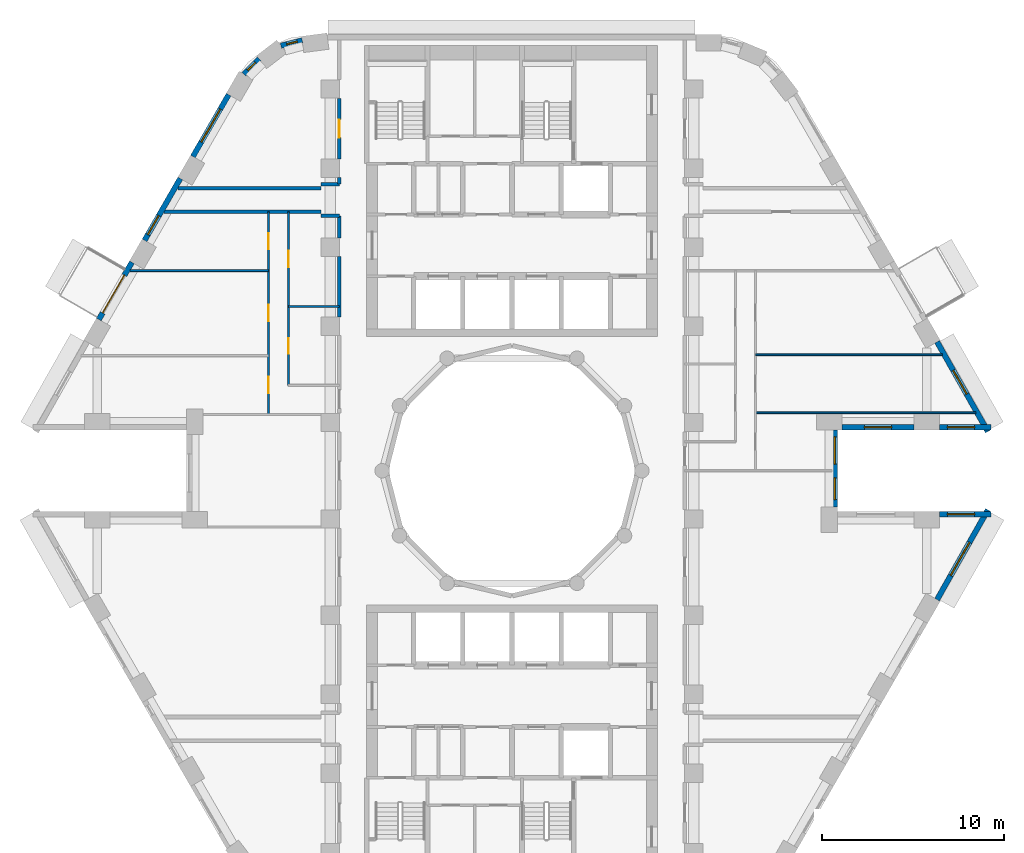
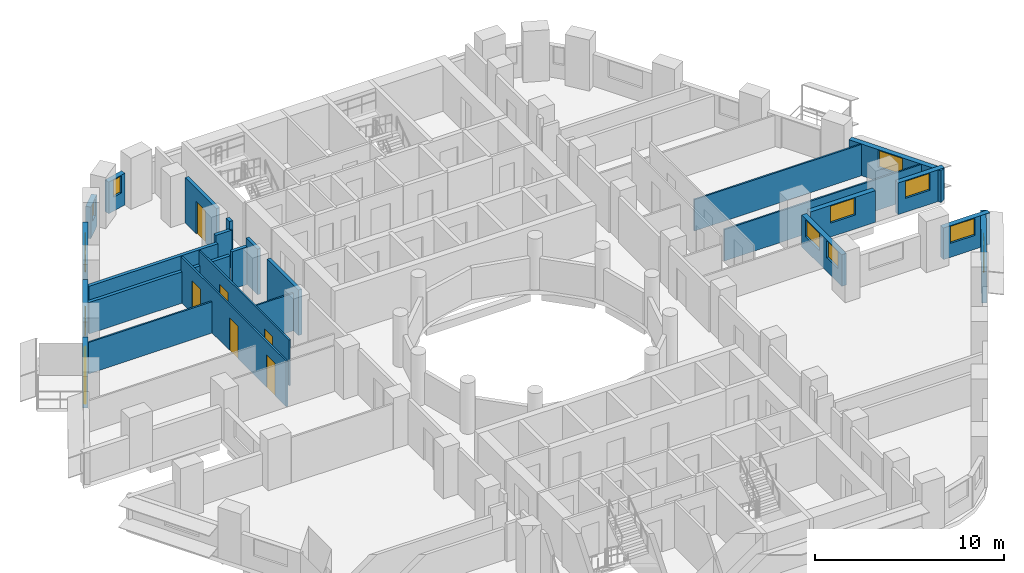
# One storey, part 6 of 14: 25 walls, 11 windows, 7 doors, 18 openings.
"""IFC4 building model written with IfcOpenShell, lengths in metres."""

from ifc_helpers import new_model, si_unit, direction, frame, frame_2d, origin, place, context, subcontext, project, spatial, rectangle, extrude, material, layer, layer_set, type_object, element, fill, save


model = new_model("IFC4")

# Units and contexts
model_context = context("Model", 3, precision=1e-05, world=origin(), true_north=direction((0.0, 1.0)))
body_context = subcontext(model_context, "Body", "Model", "MODEL_VIEW")
ifc_project = project(units=[si_unit("LENGTHUNIT", "METRE"), si_unit("AREAUNIT", "SQUARE_METRE"), si_unit("VOLUMEUNIT", "CUBIC_METRE"), si_unit("PLANEANGLEUNIT", "RADIAN"), si_unit("MASSUNIT", "GRAM", prefix="KILO")], contexts=[model_context])

# Site, building, storey
site_placement = place(None, origin())
site = spatial("IfcSite", under=ifc_project, at=site_placement, CompositionType="ELEMENT")
building_placement = place(site_placement, origin())
building = spatial("IfcBuilding", under=site, at=building_placement, Name="Nakaniwa Court", CompositionType="ELEMENT")
storey_placement = place(building_placement, frame((0.0, 0.0, 117.300048828125)))
storey = spatial("IfcBuildingStorey", under=building, at=storey_placement, Name="L31", CompositionType="ELEMENT", Elevation=117.300048828125)

# Walls
ifc_material_1 = material(Name="Acoustic double stud partition")
ifc_layer_1 = layer(ifc_material_1, 0.199951171875)
ifc_layer_set_1 = layer_set([ifc_layer_1], Name="Acoustic double stud partition")
wall_type_1 = type_object("IfcWallType", Name="Acoustic double stud partition 200", PredefinedType="PARTITIONING", material=ifc_layer_set_1)
wall_1_placement = place(storey_placement, frame((69.5, 95.77490234375, 0.0), z_axis=(0.0, 0.0, 1.0), x_axis=(1.0, 0.0, 0.0)))
element("IfcWall", 1, at=wall_1_placement, inside=storey, type_object=wall_type_1, Name="Partition PW-082", PredefinedType="PARTITIONING", context=body_context, shape_type="SweptSolid", body=[
    extrude(rectangle(XDim=1.0, YDim=0.199951171875, at=frame_2d((0.5, 0.0))), origin(), (0.0, 0.0, 1.0), 2.429931640625),
])
wall_2_placement = place(storey_placement, frame((61.611328125, 95.550048828125, 0.0), z_axis=(0.0, 0.0, 1.0), x_axis=(1.0, 0.0, 0.0)))
element("IfcWall", 2, at=wall_2_placement, inside=storey, type_object=wall_type_1, Name="Partition PW-084", PredefinedType="PARTITIONING", context=body_context, shape_type="SweptSolid", body=[
    extrude(rectangle(XDim=7.888671875, YDim=0.199951171875, at=frame_2d((3.9443359375, 0.0))), origin(), (0.0, 0.0, 1.0), 2.030029296875),
])
wall_3_placement = place(storey_placement, frame((60.86083984375, 94.25, 0.0), z_axis=(0.0, 0.0, 1.0), x_axis=(1.0, 0.0, 0.0)))
element("IfcWall", 3, at=wall_3_placement, inside=storey, type_object=wall_type_1, Name="Partition PW-086", PredefinedType="PARTITIONING", context=body_context, shape_type="SweptSolid", body=[
    extrude(rectangle(XDim=8.63916015625, YDim=0.199951171875, at=frame_2d((4.319580078125, 0.0))), origin(), (0.0, 0.0, 1.0), 2.030029296875),
])
wall_4_placement = place(storey_placement, frame((69.5, 94.02490234375, 0.0), z_axis=(0.0, 0.0, 1.0), x_axis=(1.0, 0.0, 0.0)))
element("IfcWall", 4, at=wall_4_placement, inside=storey, type_object=wall_type_1, Name="Partition PW-088", PredefinedType="PARTITIONING", context=body_context, shape_type="SweptSolid", body=[
    extrude(rectangle(XDim=1.0, YDim=0.199951171875, at=frame_2d((0.5, 0.0))), origin(), (0.0, 0.0, 1.0), 2.429931640625),
])
wall_5_placement = place(storey_placement, frame((70.5, 88.467041015625, 0.0), z_axis=(0.0, 0.0, 1.0), x_axis=(0.0, 1.0, 0.0)))
element("IfcWall", 5, at=wall_5_placement, inside=storey, type_object=wall_type_1, Name="Partition PW-106", PredefinedType="PARTITIONING", context=body_context, shape_type="SweptSolid", body=[
    extrude(rectangle(XDim=3.31591796875, YDim=0.199951171875, at=frame_2d((1.657958984375, 0.0))), origin(), (0.0, 0.0, 1.0), 2.949951171875),
])
wall_6_placement = place(storey_placement, frame((70.5, 92.81689453125, 0.0), z_axis=(0.0, 0.0, 1.0), x_axis=(0.0, 1.0, 0.0)))
element("IfcWall", 6, at=wall_6_placement, inside=storey, type_object=wall_type_1, Name="Partition PW-107", PredefinedType="PARTITIONING", context=body_context, shape_type="SweptSolid", body=[
    extrude(rectangle(XDim=1.211181640625, YDim=0.199951171875, at=frame_2d((0.60546875, 0.0))), origin(), (0.0, 0.0, 1.0), 2.949951171875),
])
wall_7_placement = place(storey_placement, frame((70.5, 95.77197265625, 0.0), z_axis=(0.0, 0.0, 1.0), x_axis=(0.0, 1.0, 0.0)))
element("IfcWall", 7, at=wall_7_placement, inside=storey, type_object=wall_type_1, Name="Partition PW-108", PredefinedType="PARTITIONING", context=body_context, shape_type="SweptSolid", body=[
    extrude(rectangle(XDim=0.361083984375, YDim=0.199951171875, at=frame_2d((0.1806640625, 0.0))), origin(), (0.0, 0.0, 1.0), 2.949951171875),
])

# Wall, opening, door
wall_8_placement = place(storey_placement, frame((70.5, 97.1669921875, 0.0), z_axis=(0.0, 0.0, 1.0), x_axis=(0.0, 1.0, 0.0)))
wall_8 = element("IfcWall", 8, at=wall_8_placement, inside=storey, type_object=wall_type_1, Name="Partition PW-109", PredefinedType="PARTITIONING", context=body_context, shape_type="SweptSolid", body=[
    extrude(rectangle(XDim=3.31591796875, YDim=0.199951171875, at=frame_2d((1.657958984375, 0.0))), origin(), (0.0, 0.0, 1.0), 2.949951171875),
])
opening_1_placement = place(wall_8_placement, frame((1.157958984375, 0.0, 0.0)))
opening_1 = element("IfcOpeningElement", 9, at=opening_1_placement, cuts=wall_8, Name="Opening D-02-07", PredefinedType="OPENING", context=body_context, shape_type="SweptSolid", body=[
    extrude(rectangle(XDim=1.0, YDim=2.10009765625, at=frame_2d((0.5, 1.050048828125))), frame((0.0, 0.10986328125, 0.0), z_axis=(0.0, -1.0, 0.0), x_axis=(1.0, 0.0, 0.0)), (0.0, 0.0, 1.0), 0.219970703125),
])
ifc_material_2 = material(Name="Solid core timber door set, black veneer", Category="wood")
door_type_1 = type_object("IfcDoorType", Name="Internal door 1000", OperationType="NOTDEFINED", PredefinedType="DOOR", material=ifc_material_2)
door_1_placement = place(opening_1_placement, origin())
door_1 = element("IfcDoor", 10, at=door_1_placement, inside=storey, type_object=door_type_1, Name="Door D-02-07 L31-045", OperationType="SINGLE_SWING_RIGHT", OverallHeight=2.10009765625, OverallWidth=1.0, PredefinedType="DOOR", context=body_context, shape_type="SweptSolid", body=[
    extrude(rectangle(XDim=1.0, YDim=2.10009765625, at=frame_2d((0.5, 1.050048828125))), frame((0.0, 0.02490234375, 0.0), z_axis=(0.0, -1.0, 0.0), x_axis=(1.0, 0.0, 0.0)), (0.0, 0.0, 1.0), 0.050048828125),
])
fill(opening_1, door_1)

# Wall, opening, window
ifc_material_3 = material(Name="Charcoal ceramic cladding")
ifc_layer_2 = layer(ifc_material_3, 0.02, Name="Ceramic cladding")
ifc_material_4 = material(Name="Ventilated air cavity")
ifc_layer_3 = layer(ifc_material_4, 0.04, ventilated=True, Name="Ventilated cavity")
ifc_material_5 = material(Name="Mineral wool insulation")
ifc_layer_4 = layer(ifc_material_5, 0.1, Name="Insulation")
ifc_material_6 = material(Name="Cement bonded sheathing board")
ifc_layer_5 = layer(ifc_material_6, 0.012, Name="Sheathing")
ifc_material_7 = material(Name="Cold-formed galvanised stud frame with mineral wool infill")
ifc_layer_6 = layer(ifc_material_7, 0.1, Name="Stud frame")
ifc_material_8 = material(Name="Fire-rated gypsum plasterboard lining")
ifc_layer_7 = layer(ifc_material_8, 0.028, Name="Lining")
ifc_layer_set_2 = layer_set([ifc_layer_2, ifc_layer_3, ifc_layer_4, ifc_layer_5, ifc_layer_6, ifc_layer_7], Name="Charcoal ceramic faced external wall system")
wall_type_2 = type_object("IfcWallType", Name="Black ceramic faced external wall 300", PredefinedType="SOLIDWALL", material=ifc_layer_set_2)
wall_9_placement = place(storey_placement, frame((98.154296875, 82.39990234375, 0.0), z_axis=(0.0, 0.0, 1.0), x_axis=(1.0, 0.0, 0.0)))
wall_9 = element("IfcWall", 11, at=wall_9_placement, inside=storey, type_object=wall_type_2, Name="L31 external wall 00", PredefinedType="SOLIDWALL", context=body_context, shape_type="SweptSolid", body=[
    extrude(rectangle(XDim=3.97265625, YDim=0.300048828125, at=frame_2d((1.986328125, 0.0))), origin(), (0.0, 0.0, 1.0), 2.050048828125),
])
opening_2_placement = place(wall_9_placement, frame((1.236328125, 0.0, 0.89990234375)))
opening_2 = element("IfcOpeningElement", 12, at=opening_2_placement, cuts=wall_9, Name="Opening W5.01", PredefinedType="OPENING", context=body_context, shape_type="SweptSolid", body=[
    extrude(rectangle(XDim=1.5, YDim=1.10009765625, at=frame_2d((0.75, 0.550048828125))), frame((0.0, 0.159912109375, 0.0), z_axis=(0.0, -1.0, 0.0), x_axis=(1.0, 0.0, 0.0)), (0.0, 0.0, 1.0), 0.320068359375),
])
ifc_material_9 = material(Name="Black anodised aluminium frame with dark low-E laminated double glazing", Category="aluminium")
window_type_1 = type_object("IfcWindowType", Name="Dark glass window 1500x1100 sill 900", PartitioningType="SINGLE_PANEL", PredefinedType="WINDOW", material=ifc_material_9)
window_1_placement = place(opening_2_placement, origin())
window_1 = element("IfcWindow", 13, at=window_1_placement, inside=storey, type_object=window_type_1, Name="L31 bedroom window 00-0", OverallHeight=1.10009765625, OverallWidth=1.5, PartitioningType="SINGLE_PANEL", PredefinedType="WINDOW", context=body_context, shape_type="SweptSolid", body=[
    extrude(rectangle(XDim=1.5, YDim=1.10009765625, at=frame_2d((0.75, 0.550048828125))), frame((0.0, 0.030029296875, 0.0), z_axis=(0.0, -1.0, 0.0), x_axis=(1.0, 0.0, 0.0)), (0.0, 0.0, 1.0), 0.06005859375),
])
fill(opening_2, window_1)

wall_10_placement = place(storey_placement, frame((103.518798828125, 82.39990234375, 0.0), z_axis=(0.0, 0.0, 1.0), x_axis=(1.0, 0.0, 0.0)))
wall_10 = element("IfcWall", 14, at=wall_10_placement, inside=storey, type_object=wall_type_2, Name="L31 external wall 01", PredefinedType="SOLIDWALL", context=body_context, shape_type="SweptSolid", body=[
    extrude(rectangle(XDim=2.837890625, YDim=0.300048828125, at=frame_2d((1.4189453125, 0.0))), origin(), (0.0, 0.0, 1.0), 2.050048828125),
])
opening_3_placement = place(wall_10_placement, frame((0.44384765625, 0.0, 0.89990234375)))
opening_3 = element("IfcOpeningElement", 15, at=opening_3_placement, cuts=wall_10, Name="Opening W5.02", PredefinedType="OPENING", context=body_context, shape_type="SweptSolid", body=[
    extrude(rectangle(XDim=1.5, YDim=1.10009765625, at=frame_2d((0.75, 0.550048828125))), frame((0.0, 0.159912109375, 0.0), z_axis=(0.0, -1.0, 0.0), x_axis=(1.0, 0.0, 0.0)), (0.0, 0.0, 1.0), 0.320068359375),
])
window_2_placement = place(opening_3_placement, origin())
window_2 = element("IfcWindow", 16, at=window_2_placement, inside=storey, type_object=window_type_1, Name="L31 bedroom window 01-0", OverallHeight=1.10009765625, OverallWidth=1.5, PartitioningType="SINGLE_PANEL", PredefinedType="WINDOW", context=body_context, shape_type="SweptSolid", body=[
    extrude(rectangle(XDim=1.5, YDim=1.10009765625, at=frame_2d((0.75, 0.550048828125))), frame((0.0, 0.030029296875, 0.0), z_axis=(0.0, -1.0, 0.0), x_axis=(1.0, 0.0, 0.0)), (0.0, 0.0, 1.0), 0.06005859375),
])
fill(opening_3, window_2)

wall_11_placement = place(storey_placement, frame((106.18603515625, 82.1533203125, 0.0), z_axis=(0.0, 0.0, 1.0), x_axis=(-0.492456858874, 0.870336855561, 0.0)))
wall_11 = element("IfcWall", 17, at=wall_11_placement, inside=storey, type_object=wall_type_2, Name="L31 external wall 02", PredefinedType="SOLIDWALL", context=body_context, shape_type="SweptSolid", body=[
    extrude(rectangle(XDim=5.676513671875, YDim=0.300048828125, at=frame_2d((2.83837890625, 0.0))), origin(), (0.0, 0.0, 1.0), 2.050048828125),
])
opening_4_placement = place(wall_11_placement, frame((2.3759765625, 0.0, 0.89990234375)))
opening_4 = element("IfcOpeningElement", 18, at=opening_4_placement, cuts=wall_11, Name="Opening W5.03", PredefinedType="OPENING", context=body_context, shape_type="SweptSolid", body=[
    extrude(rectangle(XDim=1.5, YDim=1.10009765625, at=frame_2d((0.75, 0.550048828125))), frame((0.0, 0.159912109375, 0.0), z_axis=(0.0, -1.0, 0.0), x_axis=(1.0, 0.0, 0.0)), (0.0, 0.0, 1.0), 0.320068359375),
])
window_3_placement = place(opening_4_placement, origin())
window_3 = element("IfcWindow", 19, at=window_3_placement, inside=storey, type_object=window_type_1, Name="L31 bedroom window 02-1", OverallHeight=1.10009765625, OverallWidth=1.5, PartitioningType="SINGLE_PANEL", PredefinedType="WINDOW", context=body_context, shape_type="SweptSolid", body=[
    extrude(rectangle(XDim=1.5, YDim=1.10009765625, at=frame_2d((0.75, 0.550048828125))), frame((0.0, 0.030029296875, 0.0), z_axis=(0.0, -1.0, 0.0), x_axis=(1.0, 0.0, 0.0)), (0.0, 0.0, 1.0), 0.06005859375),
])
fill(opening_4, window_3)

wall_12_placement = place(storey_placement, frame((68.455810546875, 103.68310546875, 0.0), z_axis=(0.0, 0.0, 1.0), x_axis=(-0.969485113966, -0.245150186208, 0.0)))
wall_12 = element("IfcWall", 20, at=wall_12_placement, inside=storey, type_object=wall_type_2, Name="L31 external wall 09", PredefinedType="SOLIDWALL", context=body_context, shape_type="SweptSolid", body=[
    extrude(rectangle(XDim=1.2080078125, YDim=0.300048828125, at=frame_2d((0.60400390625, 0.0))), origin(), (0.0, 0.0, 1.0), 2.050048828125),
])
opening_5_placement = place(wall_12_placement, frame((0.279541015625, 0.0, 0.89990234375)))
opening_5 = element("IfcOpeningElement", 21, at=opening_5_placement, cuts=wall_12, Name="Opening W8.08", PredefinedType="OPENING", context=body_context, shape_type="SweptSolid", body=[
    extrude(rectangle(XDim=0.60009765625, YDim=1.10009765625, at=frame_2d((0.300048828125, 0.550048828125))), frame((0.0, 0.159912109375, 0.0), z_axis=(0.0, -1.0, 0.0), x_axis=(1.0, 0.0, 0.0)), (0.0, 0.0, 1.0), 0.320068359375),
])
window_type_2 = type_object("IfcWindowType", Name="Dark glass window 600x1100 sill 900", PartitioningType="SINGLE_PANEL", PredefinedType="WINDOW", material=ifc_material_9)
window_4_placement = place(opening_5_placement, origin())
window_4 = element("IfcWindow", 22, at=window_4_placement, inside=storey, type_object=window_type_2, Name="L31 habitable room window 09-0", OverallHeight=1.10009765625, OverallWidth=0.60009765625, PartitioningType="SINGLE_PANEL", PredefinedType="WINDOW", context=body_context, shape_type="SweptSolid", body=[
    extrude(rectangle(XDim=0.60009765625, YDim=1.10009765625, at=frame_2d((0.300048828125, 0.550048828125))), frame((0.0, 0.030029296875, 0.0), z_axis=(0.0, -1.0, 0.0), x_axis=(1.0, 0.0, 0.0)), (0.0, 0.0, 1.0), 0.06005859375),
])
fill(opening_5, window_4)

wall_13_placement = place(storey_placement, frame((66.085205078125, 102.66259765625, 0.0), z_axis=(0.0, 0.0, 1.0), x_axis=(-0.708951665509, -0.705257070842, 0.0)))
wall_13 = element("IfcWall", 23, at=wall_13_placement, inside=storey, type_object=wall_type_2, Name="L31 external wall 10", PredefinedType="SOLIDWALL", context=body_context, shape_type="SweptSolid", body=[
    extrude(rectangle(XDim=1.189453125, YDim=0.300048828125, at=frame_2d((0.5947265625, 0.0))), origin(), (0.0, 0.0, 1.0), 2.050048828125),
])
opening_6_placement = place(wall_13_placement, frame((0.284423828125, 0.0, 0.89990234375)))
opening_6 = element("IfcOpeningElement", 24, at=opening_6_placement, cuts=wall_13, Name="Opening W8.09", PredefinedType="OPENING", context=body_context, shape_type="SweptSolid", body=[
    extrude(rectangle(XDim=0.60009765625, YDim=1.10009765625, at=frame_2d((0.300048828125, 0.550048828125))), frame((0.0, 0.159912109375, 0.0), z_axis=(0.0, -1.0, 0.0), x_axis=(1.0, 0.0, 0.0)), (0.0, 0.0, 1.0), 0.320068359375),
])
window_5_placement = place(opening_6_placement, origin())
window_5 = element("IfcWindow", 25, at=window_5_placement, inside=storey, type_object=window_type_2, Name="L31 habitable room window 10-0", OverallHeight=1.10009765625, OverallWidth=0.60009765625, PartitioningType="SINGLE_PANEL", PredefinedType="WINDOW", context=body_context, shape_type="SweptSolid", body=[
    extrude(rectangle(XDim=0.60009765625, YDim=1.10009765625, at=frame_2d((0.300048828125, 0.550048828125))), frame((0.0, 0.030029296875, 0.0), z_axis=(0.0, -1.0, 0.0), x_axis=(1.0, 0.0, 0.0)), (0.0, 0.0, 1.0), 0.06005859375),
])
fill(opening_6, window_5)

wall_14_placement = place(storey_placement, frame((64.40966796875, 100.69677734375, 0.0), z_axis=(0.0, 0.0, 1.0), x_axis=(-0.500003583557, -0.866023334807, 0.0)))
wall_14 = element("IfcWall", 26, at=wall_14_placement, inside=storey, type_object=wall_type_2, Name="L31 external wall 11", PredefinedType="SOLIDWALL", context=body_context, shape_type="SweptSolid", body=[
    extrude(rectangle(XDim=3.93408203125, YDim=0.300048828125, at=frame_2d((1.967041015625, 0.0))), origin(), (0.0, 0.0, 1.0), 2.050048828125),
])
opening_7_placement = place(wall_14_placement, frame((0.9169921875, 0.0, 0.89990234375)))
opening_7 = element("IfcOpeningElement", 27, at=opening_7_placement, cuts=wall_14, Name="Opening W7.10", PredefinedType="OPENING", context=body_context, shape_type="SweptSolid", body=[
    extrude(rectangle(XDim=2.10009765625, YDim=1.10009765625, at=frame_2d((1.050048828125, 0.550048828125))), frame((0.0, 0.159912109375, 0.0), z_axis=(0.0, -1.0, 0.0), x_axis=(1.0, 0.0, 0.0)), (0.0, 0.0, 1.0), 0.320068359375),
])
window_type_3 = type_object("IfcWindowType", Name="Dark glass window 2100x1100 sill 900", PartitioningType="SINGLE_PANEL", PredefinedType="WINDOW", material=ifc_material_9)
window_6_placement = place(opening_7_placement, origin())
window_6 = element("IfcWindow", 28, at=window_6_placement, inside=storey, type_object=window_type_3, Name="L31 habitable room window 11-0", OverallHeight=1.10009765625, OverallWidth=2.10009765625, PartitioningType="SINGLE_PANEL", PredefinedType="WINDOW", context=body_context, shape_type="SweptSolid", body=[
    extrude(rectangle(XDim=2.10009765625, YDim=1.10009765625, at=frame_2d((1.050048828125, 0.550048828125))), frame((0.0, 0.030029296875, 0.0), z_axis=(0.0, -1.0, 0.0), x_axis=(1.0, 0.0, 0.0)), (0.0, 0.0, 1.0), 0.06005859375),
])
fill(opening_7, window_6)

wall_15_placement = place(storey_placement, frame((61.74658203125, 96.08447265625, 0.0), z_axis=(0.0, 0.0, 1.0), x_axis=(-0.499957037901, -0.866050206543, 0.0)))
wall_15 = element("IfcWall", 29, at=wall_15_placement, inside=storey, type_object=wall_type_2, Name="L31 external wall 12", PredefinedType="SOLIDWALL", context=body_context, shape_type="SweptSolid", body=[
    extrude(rectangle(XDim=3.933837890625, YDim=0.300048828125, at=frame_2d((1.966796875, 0.0))), origin(), (0.0, 0.0, 1.0), 2.050048828125),
])
opening_8_placement = place(wall_15_placement, frame((2.364990234375, 0.0, 0.89990234375)))
opening_8 = element("IfcOpeningElement", 30, at=opening_8_placement, cuts=wall_15, Name="Opening W6.11", PredefinedType="OPENING", context=body_context, shape_type="SweptSolid", body=[
    extrude(rectangle(XDim=1.199951171875, YDim=1.10009765625, at=frame_2d((0.60009765625, 0.550048828125))), frame((0.0, 0.159912109375, 0.0), z_axis=(0.0, -1.0, 0.0), x_axis=(1.0, 0.0, 0.0)), (0.0, 0.0, 1.0), 0.320068359375),
])
window_type_4 = type_object("IfcWindowType", Name="Dark glass window 1200x1100 sill 900", PartitioningType="SINGLE_PANEL", PredefinedType="WINDOW", material=ifc_material_9)
window_7_placement = place(opening_8_placement, origin())
window_7 = element("IfcWindow", 31, at=window_7_placement, inside=storey, type_object=window_type_4, Name="L31 bedroom window 12-2", OverallHeight=1.10009765625, OverallWidth=1.199951171875, PartitioningType="SINGLE_PANEL", PredefinedType="WINDOW", context=body_context, shape_type="SweptSolid", body=[
    extrude(rectangle(XDim=1.199951171875, YDim=1.10009765625, at=frame_2d((0.60009765625, 0.550048828125))), frame((0.0, 0.030029296875, 0.0), z_axis=(0.0, -1.0, 0.0), x_axis=(1.0, 0.0, 0.0)), (0.0, 0.0, 1.0), 0.06005859375),
])
fill(opening_8, window_7)

# Wall, opening, door
wall_16_placement = place(storey_placement, frame((59.083740234375, 91.471923828125, 0.0), z_axis=(0.0, 0.0, 1.0), x_axis=(-0.500009139881, -0.866020126807, 0.0)))
wall_16 = element("IfcWall", 32, at=wall_16_placement, inside=storey, type_object=wall_type_2, Name="L31 external wall 13", PredefinedType="SOLIDWALL", context=body_context, shape_type="SweptSolid", body=[
    extrude(rectangle(XDim=3.63671875, YDim=0.300048828125, at=frame_2d((1.818359375, 0.0))), origin(), (0.0, 0.0, 1.0), 2.050048828125),
])
opening_9_placement = place(wall_16_placement, frame((0.822509765625, 0.0, 0.0)))
opening_9 = element("IfcOpeningElement", 33, at=opening_9_placement, cuts=wall_16, Name="Opening XD13.02", PredefinedType="OPENING", context=body_context, shape_type="SweptSolid", body=[
    extrude(rectangle(XDim=2.39990234375, YDim=2.0, at=frame_2d((1.199951171875, 1.0))), frame((0.0, 0.159912109375, 0.0), z_axis=(0.0, -1.0, 0.0), x_axis=(1.0, 0.0, 0.0)), (0.0, 0.0, 1.0), 0.320068359375),
])
ifc_material_10 = material(Name="Black powder-coated aluminium frame with dark laminated glass", Category="aluminium")
door_type_2 = type_object("IfcDoorType", Name="Balcony sliding door 2400x2000", OperationType="DOUBLE_DOOR_SLIDING", PredefinedType="DOOR", material=ifc_material_10)
door_2_placement = place(opening_9_placement, origin())
door_2 = element("IfcDoor", 34, at=door_2_placement, inside=storey, type_object=door_type_2, Name="L31 balcony sliding door 01", OperationType="DOUBLE_DOOR_SLIDING", OverallHeight=2.0, OverallWidth=2.39990234375, PredefinedType="DOOR", context=body_context, shape_type="SweptSolid", body=[
    extrude(rectangle(XDim=2.39990234375, YDim=2.0, at=frame_2d((1.199951171875, 1.0))), frame((0.0, 0.02490234375, 0.0), z_axis=(0.0, -1.0, 0.0), x_axis=(1.0, 0.0, 0.0)), (0.0, 0.0, 1.0), 0.050048828125),
])
fill(opening_9, door_2)

# Wall, opening, window
wall_17_placement = place(storey_placement, frame((103.390625, 72.90625, 0.0), z_axis=(0.0, 0.0, 1.0), x_axis=(0.492456858874, 0.870336855561, 0.0)))
wall_17 = element("IfcWall", 35, at=wall_17_placement, inside=storey, type_object=wall_type_2, Name="L31 external wall 32", PredefinedType="SOLIDWALL", context=body_context, shape_type="SweptSolid", body=[
    extrude(rectangle(XDim=5.676513671875, YDim=0.300048828125, at=frame_2d((2.83837890625, 0.0))), origin(), (0.0, 0.0, 1.0), 2.050048828125),
])
opening_10_placement = place(wall_17_placement, frame((1.52490234375, 0.0, 0.89990234375)))
opening_10 = element("IfcOpeningElement", 36, at=opening_10_placement, cuts=wall_17, Name="Opening W7.27", PredefinedType="OPENING", context=body_context, shape_type="SweptSolid", body=[
    extrude(rectangle(XDim=2.10009765625, YDim=1.10009765625, at=frame_2d((1.050048828125, 0.550048828125))), frame((0.0, 0.159912109375, 0.0), z_axis=(0.0, -1.0, 0.0), x_axis=(1.0, 0.0, 0.0)), (0.0, 0.0, 1.0), 0.320068359375),
])
window_8_placement = place(opening_10_placement, origin())
window_8 = element("IfcWindow", 37, at=window_8_placement, inside=storey, type_object=window_type_3, Name="L31 habitable room window 32-0", OverallHeight=1.10009765625, OverallWidth=2.10009765625, PartitioningType="SINGLE_PANEL", PredefinedType="WINDOW", context=body_context, shape_type="SweptSolid", body=[
    extrude(rectangle(XDim=2.10009765625, YDim=1.10009765625, at=frame_2d((1.050048828125, 0.550048828125))), frame((0.0, 0.030029296875, 0.0), z_axis=(0.0, -1.0, 0.0), x_axis=(1.0, 0.0, 0.0)), (0.0, 0.0, 1.0), 0.06005859375),
])
fill(opening_10, window_8)

wall_18_placement = place(storey_placement, frame((106.356689453125, 77.60009765625, 0.0), z_axis=(0.0, 0.0, 1.0), x_axis=(-1.0, 0.0, 0.0)))
wall_18 = element("IfcWall", 38, at=wall_18_placement, inside=storey, type_object=wall_type_2, Name="L31 external wall 33", PredefinedType="SOLIDWALL", context=body_context, shape_type="SweptSolid", body=[
    extrude(rectangle(XDim=2.837890625, YDim=0.300048828125, at=frame_2d((1.4189453125, 0.0))), origin(), (0.0, 0.0, 1.0), 2.050048828125),
])
opening_11_placement = place(wall_18_placement, frame((0.893798828125, 0.0, 0.89990234375)))
opening_11 = element("IfcOpeningElement", 39, at=opening_11_placement, cuts=wall_18, Name="Opening W5.28", PredefinedType="OPENING", context=body_context, shape_type="SweptSolid", body=[
    extrude(rectangle(XDim=1.5, YDim=1.10009765625, at=frame_2d((0.75, 0.550048828125))), frame((0.0, 0.159912109375, 0.0), z_axis=(0.0, -1.0, 0.0), x_axis=(1.0, 0.0, 0.0)), (0.0, 0.0, 1.0), 0.320068359375),
])
window_9_placement = place(opening_11_placement, origin())
window_9 = element("IfcWindow", 40, at=window_9_placement, inside=storey, type_object=window_type_1, Name="L31 habitable room window 33-0", OverallHeight=1.10009765625, OverallWidth=1.5, PartitioningType="SINGLE_PANEL", PredefinedType="WINDOW", context=body_context, shape_type="SweptSolid", body=[
    extrude(rectangle(XDim=1.5, YDim=1.10009765625, at=frame_2d((0.75, 0.550048828125))), frame((0.0, 0.030029296875, 0.0), z_axis=(0.0, -1.0, 0.0), x_axis=(1.0, 0.0, 0.0)), (0.0, 0.0, 1.0), 0.06005859375),
])
fill(opening_11, window_9)

# Wall, openings, windows
wall_19_placement = place(storey_placement, frame((97.75830078125, 77.99609375, 0.0), z_axis=(0.0, 0.0, 1.0), x_axis=(0.0, 1.0, 0.0)))
wall_19 = element("IfcWall", 41, at=wall_19_placement, inside=storey, type_object=wall_type_2, Name="L31 external wall 35", PredefinedType="SOLIDWALL", context=body_context, shape_type="SweptSolid", body=[
    extrude(rectangle(XDim=4.2578125, YDim=0.300048828125, at=frame_2d((2.12890625, 0.0))), origin(), (0.0, 0.0, 1.0), 2.050048828125),
])
opening_12_placement = place(wall_19_placement, frame((0.4140625, 0.0, 0.89990234375)))
opening_12 = element("IfcOpeningElement", 42, at=opening_12_placement, cuts=wall_19, Name="Opening W6.30", PredefinedType="OPENING", context=body_context, shape_type="SweptSolid", body=[
    extrude(rectangle(XDim=1.199951171875, YDim=1.10009765625, at=frame_2d((0.60009765625, 0.550048828125))), frame((0.0, 0.159912109375, 0.0), z_axis=(0.0, -1.0, 0.0), x_axis=(1.0, 0.0, 0.0)), (0.0, 0.0, 1.0), 0.320068359375),
])
opening_13_placement = place(wall_19_placement, frame((2.368896484375, 0.0, 0.89990234375)))
opening_13 = element("IfcOpeningElement", 43, at=opening_13_placement, cuts=wall_19, Name="Opening W5.31", PredefinedType="OPENING", context=body_context, shape_type="SweptSolid", body=[
    extrude(rectangle(XDim=1.5, YDim=1.10009765625, at=frame_2d((0.75, 0.550048828125))), frame((0.0, 0.159912109375, 0.0), z_axis=(0.0, -1.0, 0.0), x_axis=(1.0, 0.0, 0.0)), (0.0, 0.0, 1.0), 0.320068359375),
])
window_10_placement = place(opening_12_placement, origin())
window_10 = element("IfcWindow", 44, at=window_10_placement, inside=storey, type_object=window_type_4, Name="L31 habitable room window 35-0", OverallHeight=1.10009765625, OverallWidth=1.199951171875, PartitioningType="SINGLE_PANEL", PredefinedType="WINDOW", context=body_context, shape_type="SweptSolid", body=[
    extrude(rectangle(XDim=1.199951171875, YDim=1.10009765625, at=frame_2d((0.60009765625, 0.550048828125))), frame((0.0, 0.030029296875, 0.0), z_axis=(0.0, -1.0, 0.0), x_axis=(1.0, 0.0, 0.0)), (0.0, 0.0, 1.0), 0.06005859375),
])
fill(opening_12, window_10)
window_11_placement = place(opening_13_placement, origin())
window_11 = element("IfcWindow", 45, at=window_11_placement, inside=storey, type_object=window_type_1, Name="L31 bedroom window 35-1", OverallHeight=1.10009765625, OverallWidth=1.5, PartitioningType="SINGLE_PANEL", PredefinedType="WINDOW", context=body_context, shape_type="SweptSolid", body=[
    extrude(rectangle(XDim=1.5, YDim=1.10009765625, at=frame_2d((0.75, 0.550048828125))), frame((0.0, 0.030029296875, 0.0), z_axis=(0.0, -1.0, 0.0), x_axis=(1.0, 0.0, 0.0)), (0.0, 0.0, 1.0), 0.06005859375),
])
fill(opening_13, window_11)

# Walls
ifc_material_11 = material(Name="Single stud plasterboard partition")
ifc_layer_8 = layer(ifc_material_11, 0.10009765625)
ifc_layer_set_3 = layer_set([ifc_layer_8], Name="Single stud plasterboard partition")
wall_type_3 = type_object("IfcWallType", Name="Single stud plasterboard partition 100", PredefinedType="PARTITIONING", material=ifc_layer_set_3)
wall_20_placement = place(storey_placement, frame((93.39990234375, 83.194091796875, 0.0), z_axis=(0.0, 0.0, 1.0), x_axis=(1.0, 0.0, 0.0)))
element("IfcWall", 46, at=wall_20_placement, inside=storey, type_object=wall_type_3, Name="Partition PW-117", PredefinedType="PARTITIONING", context=body_context, shape_type="SweptSolid", body=[
    extrude(rectangle(XDim=12.122802734375, YDim=0.10009765625, at=frame_2d((6.0615234375, 0.0))), origin(), (0.0, 0.0, 1.0), 2.030029296875),
])
wall_21_placement = place(storey_placement, frame((93.39990234375, 86.386962890625, 0.0), z_axis=(0.0, 0.0, 1.0), x_axis=(1.0, 0.0, 0.0)))
element("IfcWall", 47, at=wall_21_placement, inside=storey, type_object=wall_type_3, Name="Partition PW-118", PredefinedType="PARTITIONING", context=body_context, shape_type="SweptSolid", body=[
    extrude(rectangle(XDim=10.27880859375, YDim=0.10009765625, at=frame_2d((5.139404296875, 0.0))), origin(), (0.0, 0.0, 1.0), 2.030029296875),
])
wall_22_placement = place(storey_placement, frame((67.699951171875, 89.041015625, 0.0), z_axis=(0.0, 0.0, 1.0), x_axis=(1.0, 0.0, 0.0)))
element("IfcWall", 48, at=wall_22_placement, inside=storey, type_object=wall_type_3, Name="Partition PW-121", PredefinedType="PARTITIONING", context=body_context, shape_type="SweptSolid", body=[
    extrude(rectangle(XDim=2.800048828125, YDim=0.10009765625, at=frame_2d((1.39990234375, 0.0))), origin(), (0.0, 0.0, 1.0), 2.429931640625),
])

# Wall, openings, doors
wall_23_placement = place(storey_placement, frame((67.699951171875, 94.25, 0.0), z_axis=(0.0, 0.0, 1.0), x_axis=(0.0, -1.0, 0.0)))
wall_23 = element("IfcWall", 49, at=wall_23_placement, inside=storey, type_object=wall_type_3, Name="Partition PW-123", PredefinedType="PARTITIONING", context=body_context, shape_type="SweptSolid", body=[
    extrude(rectangle(XDim=9.550048828125, YDim=0.10009765625, at=frame_2d((4.77490234375, 0.0))), origin(), (0.0, 0.0, 1.0), 2.949951171875),
])
opening_14_placement = place(wall_23_placement, frame((6.955078125, 0.0, 0.0)))
opening_14 = element("IfcOpeningElement", 50, at=opening_14_placement, cuts=wall_23, Name="Opening D-03-02", PredefinedType="OPENING", context=body_context, shape_type="SweptSolid", body=[
    extrude(rectangle(XDim=0.85009765625, YDim=2.10009765625, at=frame_2d((0.425048828125, 1.050048828125))), frame((0.0, 0.06005859375, 0.0), z_axis=(0.0, -1.0, 0.0), x_axis=(1.0, 0.0, 0.0)), (0.0, 0.0, 1.0), 0.1201171875),
])
opening_15_placement = place(wall_23_placement, frame((2.155029296875, 0.0, 0.0)))
opening_15 = element("IfcOpeningElement", 51, at=opening_15_placement, cuts=wall_23, Name="Opening D-33-05", PredefinedType="OPENING", context=body_context, shape_type="SweptSolid", body=[
    extrude(rectangle(XDim=0.89990234375, YDim=2.10009765625, at=frame_2d((0.449951171875, 1.050048828125))), frame((0.0, 0.06005859375, 0.0), z_axis=(0.0, -1.0, 0.0), x_axis=(1.0, 0.0, 0.0)), (0.0, 0.0, 1.0), 0.1201171875),
])
ifc_material_12 = material(Name="Moisture sealed timber door set", Category="wood")
door_type_3 = type_object("IfcDoorType", Name="Bathroom door 850", OperationType="NOTDEFINED", PredefinedType="DOOR", material=ifc_material_12)
door_3_placement = place(opening_14_placement, origin())
door_3 = element("IfcDoor", 52, at=door_3_placement, inside=storey, type_object=door_type_3, Name="Door D-03-02 L31-040", OperationType="SINGLE_SWING_LEFT", OverallHeight=2.10009765625, OverallWidth=0.85009765625, PredefinedType="DOOR", context=body_context, shape_type="SweptSolid", body=[
    extrude(rectangle(XDim=0.85009765625, YDim=2.10009765625, at=frame_2d((0.425048828125, 1.050048828125))), frame((0.0, 0.02490234375, 0.0), z_axis=(0.0, -1.0, 0.0), x_axis=(1.0, 0.0, 0.0)), (0.0, 0.0, 1.0), 0.050048828125),
])
fill(opening_14, door_3)
door_type_4 = type_object("IfcDoorType", Name="Internal door 900", OperationType="NOTDEFINED", PredefinedType="DOOR", material=ifc_material_2)
door_4_placement = place(opening_15_placement, origin())
door_4 = element("IfcDoor", 53, at=door_4_placement, inside=storey, type_object=door_type_4, Name="Door D-33-05 L31-041", OperationType="SINGLE_SWING_RIGHT", OverallHeight=2.10009765625, OverallWidth=0.89990234375, PredefinedType="DOOR", context=body_context, shape_type="SweptSolid", body=[
    extrude(rectangle(XDim=0.89990234375, YDim=2.10009765625, at=frame_2d((0.449951171875, 1.050048828125))), frame((0.0, 0.02490234375, 0.0), z_axis=(0.0, -1.0, 0.0), x_axis=(1.0, 0.0, 0.0)), (0.0, 0.0, 1.0), 0.050048828125),
])
fill(opening_15, door_4)

wall_24_placement = place(storey_placement, frame((66.60009765625, 83.10009765625, 0.0), z_axis=(0.0, 0.0, 1.0), x_axis=(0.0, 1.0, 0.0)))
wall_24 = element("IfcWall", 54, at=wall_24_placement, inside=storey, type_object=wall_type_3, Name="Partition PW-124", PredefinedType="PARTITIONING", context=body_context, shape_type="SweptSolid", body=[
    extrude(rectangle(XDim=11.14990234375, YDim=0.10009765625, at=frame_2d((5.574951171875, 0.0))), origin(), (0.0, 0.0, 1.0), 2.949951171875),
])
opening_16_placement = place(wall_24_placement, frame((1.1689453125, 0.0, 0.0)))
opening_16 = element("IfcOpeningElement", 55, at=opening_16_placement, cuts=wall_24, Name="Opening D-33-06", PredefinedType="OPENING", context=body_context, shape_type="SweptSolid", body=[
    extrude(rectangle(XDim=0.89990234375, YDim=2.10009765625, at=frame_2d((0.449951171875, 1.050048828125))), frame((0.0, 0.06005859375, 0.0), z_axis=(0.0, -1.0, 0.0), x_axis=(1.0, 0.0, 0.0)), (0.0, 0.0, 1.0), 0.1201171875),
])
opening_17_placement = place(wall_24_placement, frame((5.125, 0.0, 0.0)))
opening_17 = element("IfcOpeningElement", 56, at=opening_17_placement, cuts=wall_24, Name="Opening D-33-07", PredefinedType="OPENING", context=body_context, shape_type="SweptSolid", body=[
    extrude(rectangle(XDim=0.89990234375, YDim=2.10009765625, at=frame_2d((0.449951171875, 1.050048828125))), frame((0.0, 0.06005859375, 0.0), z_axis=(0.0, -1.0, 0.0), x_axis=(1.0, 0.0, 0.0)), (0.0, 0.0, 1.0), 0.1201171875),
])
opening_18_placement = place(wall_24_placement, frame((9.0810546875, 0.0, 0.0)))
opening_18 = element("IfcOpeningElement", 57, at=opening_18_placement, cuts=wall_24, Name="Opening D-33-08", PredefinedType="OPENING", context=body_context, shape_type="SweptSolid", body=[
    extrude(rectangle(XDim=0.89990234375, YDim=2.10009765625, at=frame_2d((0.449951171875, 1.050048828125))), frame((0.0, 0.06005859375, 0.0), z_axis=(0.0, -1.0, 0.0), x_axis=(1.0, 0.0, 0.0)), (0.0, 0.0, 1.0), 0.1201171875),
])
door_5_placement = place(opening_16_placement, origin())
door_5 = element("IfcDoor", 58, at=door_5_placement, inside=storey, type_object=door_type_4, Name="Door D-33-06 L31-042", OperationType="SINGLE_SWING_LEFT", OverallHeight=2.10009765625, OverallWidth=0.89990234375, PredefinedType="DOOR", context=body_context, shape_type="SweptSolid", body=[
    extrude(rectangle(XDim=0.89990234375, YDim=2.10009765625, at=frame_2d((0.449951171875, 1.050048828125))), frame((0.0, 0.02490234375, 0.0), z_axis=(0.0, -1.0, 0.0), x_axis=(1.0, 0.0, 0.0)), (0.0, 0.0, 1.0), 0.050048828125),
])
fill(opening_16, door_5)
door_6_placement = place(opening_17_placement, origin())
door_6 = element("IfcDoor", 59, at=door_6_placement, inside=storey, type_object=door_type_4, Name="Door D-33-07 L31-043", OperationType="SINGLE_SWING_RIGHT", OverallHeight=2.10009765625, OverallWidth=0.89990234375, PredefinedType="DOOR", context=body_context, shape_type="SweptSolid", body=[
    extrude(rectangle(XDim=0.89990234375, YDim=2.10009765625, at=frame_2d((0.449951171875, 1.050048828125))), frame((0.0, 0.02490234375, 0.0), z_axis=(0.0, -1.0, 0.0), x_axis=(1.0, 0.0, 0.0)), (0.0, 0.0, 1.0), 0.050048828125),
])
fill(opening_17, door_6)
door_7_placement = place(opening_18_placement, origin())
door_7 = element("IfcDoor", 60, at=door_7_placement, inside=storey, type_object=door_type_4, Name="Door D-33-08 L31-044", OperationType="SINGLE_SWING_LEFT", OverallHeight=2.10009765625, OverallWidth=0.89990234375, PredefinedType="DOOR", context=body_context, shape_type="SweptSolid", body=[
    extrude(rectangle(XDim=0.89990234375, YDim=2.10009765625, at=frame_2d((0.449951171875, 1.050048828125))), frame((0.0, 0.02490234375, 0.0), z_axis=(0.0, -1.0, 0.0), x_axis=(1.0, 0.0, 0.0)), (0.0, 0.0, 1.0), 0.050048828125),
])
fill(opening_18, door_7)

# Wall
wall_25_placement = place(storey_placement, frame((58.991943359375, 91.012939453125, 0.0), z_axis=(0.0, 0.0, 1.0), x_axis=(1.0, 0.0, 0.0)))
element("IfcWall", 61, at=wall_25_placement, inside=storey, type_object=wall_type_3, Name="Partition PW-126", PredefinedType="PARTITIONING", context=body_context, shape_type="SweptSolid", body=[
    extrude(rectangle(XDim=7.608154296875, YDim=0.10009765625, at=frame_2d((3.80419921875, 0.0))), origin(), (0.0, 0.0, 1.0), 2.030029296875),
])

save(model, "model.ifc")
